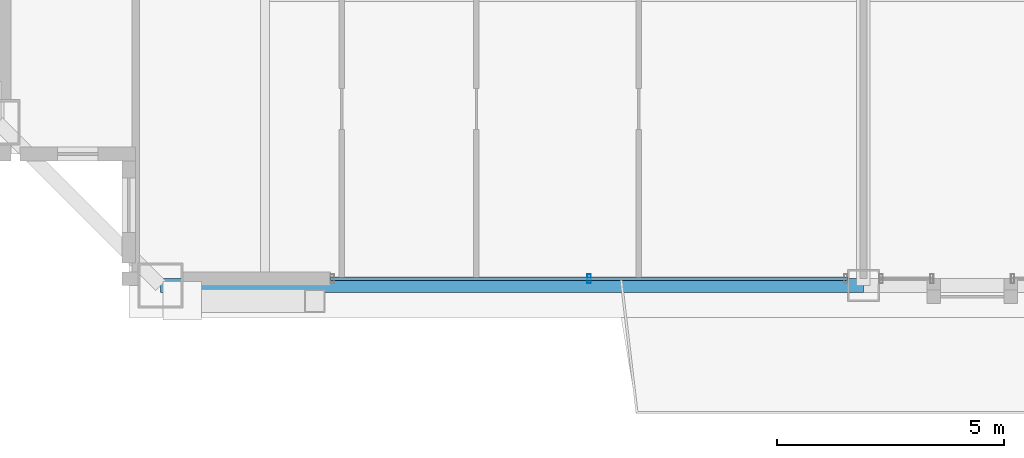
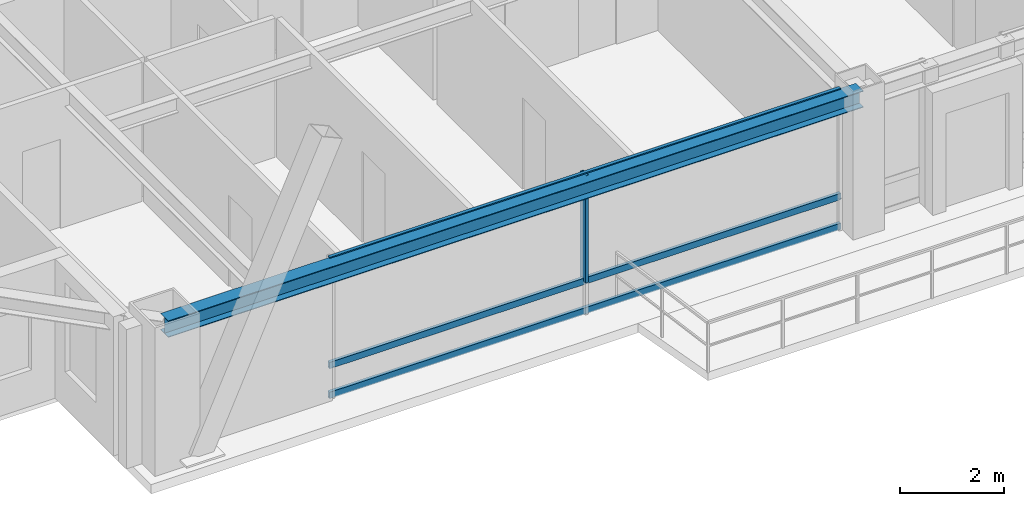
# One storey, part 5 of 34: 4 members, 1 beam, 1 element without a shape of its own.
"""IFC4 building model written with IfcOpenShell, lengths in metres."""

import ifcopenshell
import ifcopenshell.guid

model = None  # the IFC model being written
_history = None  # IfcOwnerHistory: only IFC2X3 demands one
_inside = {}  # id of a spatial element -> (the spatial element, [elements in it])
_under = {}  # id of a project, library or spatial element -> (it, [spatial elements below it])
_declared = {}  # id of a project -> (the project, [libraries it declares])
_typed = {}  # id of a type object -> (the type object, [elements of that type])
_made_of = {}  # id of a material, layer set ... -> (it, [elements and type objects made of it])


def new_model(schema):
    """Start an empty IFC model of exactly this schema.

    Asked for "IFC4X3", IfcOpenShell would pick the latest addendum, in which some entities
    have other attributes; the version numbers below select the first issue.
    IFC2X3 requires an IfcOwnerHistory on every rooted entity: one is made here for all.
    """
    global model, _history
    if schema == "IFC4X3":
        model = ifcopenshell.file(schema_version=(4, 3, 0, 0))
    else:
        model = ifcopenshell.file(schema=schema)
    _inside.clear()
    _under.clear()
    _declared.clear()
    _typed.clear()
    _made_of.clear()
    _history = None
    if model.schema == "IFC2X3":
        org = make("IfcOrganization", Name="unknown")
        user = make(
            "IfcPersonAndOrganization",
            ThePerson=make("IfcPerson", FamilyName="unknown"),
            TheOrganization=org,
        )
        app = make(
            "IfcApplication",
            ApplicationDeveloper=org,
            Version="unknown",
            ApplicationFullName="unknown",
            ApplicationIdentifier="unknown",
        )
        _history = make(
            "IfcOwnerHistory",
            OwningUser=user,
            OwningApplication=app,
            ChangeAction="ADDED",
            CreationDate=0,
        )
    return model


def make(cls, **values):
    """One entity of the class cls with the attributes given. An attribute that is None is left unset."""
    return model.create_entity(
        cls, **{name: value for name, value in values.items() if value is not None}
    )


def rooted(cls, **values):
    """An entity with a GlobalId (a new one), such as an element, a storey or a relation."""
    return make(cls, GlobalId=ifcopenshell.guid.new(), OwnerHistory=_history, **values)


def si_unit(unit_type, name, prefix=None):
    """IfcSIUnit, for example si_unit("LENGTHUNIT", "METRE", prefix="MILLI")."""
    return make("IfcSIUnit", UnitType=unit_type, Prefix=prefix, Name=name)


def assignment(units):
    """IfcUnitAssignment: the units of a project."""
    return None if units is None else make("IfcUnitAssignment", Units=units)


def point(xyz):
    """IfcCartesianPoint."""
    return None if xyz is None else make("IfcCartesianPoint", Coordinates=xyz)


def direction(xyz):
    """IfcDirection."""
    return None if xyz is None else make("IfcDirection", DirectionRatios=xyz)


def frame(location, z_axis=None, x_axis=None):
    """IfcAxis2Placement3D, a coordinate frame: its origin and axes. An axis left out is left unset."""
    return make(
        "IfcAxis2Placement3D",
        Location=point(location),
        Axis=direction(z_axis),
        RefDirection=direction(x_axis),
    )


def frame_2d(location, x_axis=None):
    """IfcAxis2Placement2D, a coordinate frame in the plane: its origin and x axis."""
    return make(
        "IfcAxis2Placement2D", Location=point(location), RefDirection=direction(x_axis)
    )


def origin():
    """The frame at (0, 0, 0) with its axes left unset."""
    return frame((0.0, 0.0, 0.0))


def origin_2d():
    """The frame at (0, 0) in the plane with its x axis left unset."""
    return frame_2d((0.0, 0.0))


def place(relative_to, where):
    """IfcLocalPlacement: puts the frame where relative to a parent placement (None: the world)."""
    return make(
        "IfcLocalPlacement", PlacementRelTo=relative_to, RelativePlacement=where
    )


def context(
    kind, dimensions, precision=None, world=None, true_north=None, identifier=None
):
    """IfcGeometricRepresentationContext, for example the 3D "Model" context."""
    return make(
        "IfcGeometricRepresentationContext",
        ContextIdentifier=identifier,
        ContextType=kind,
        CoordinateSpaceDimension=dimensions,
        Precision=precision,
        WorldCoordinateSystem=world,
        TrueNorth=true_north,
    )


def subcontext(parent, identifier, kind, view, scale=None):
    """IfcGeometricRepresentationSubContext, for example "Body" below "Model"."""
    return make(
        "IfcGeometricRepresentationSubContext",
        ContextIdentifier=identifier,
        ContextType=kind,
        ParentContext=parent,
        TargetScale=scale,
        TargetView=view,
    )


def project(units=None, contexts=None):
    """IfcProject with its units and contexts."""
    return rooted(
        "IfcProject",
        Name="project",
        RepresentationContexts=contexts,
        UnitsInContext=assignment(units),
    )


def spatial(cls, under=None, at=None, **own):
    """A site, building, storey or space (cls), placed at a placement, below another one or the project."""
    s = rooted(cls, ObjectPlacement=at, **own)
    if under is not None:
        _under.setdefault(under.id(), (under, []))[1].append(s)
    return s


def profile(cls, at=None, kind="AREA", **sizes):
    """A parametric profile (cls). Its sizes go by their IFC names, for example OverallWidth=200.0."""
    return make(cls, ProfileType=kind, Position=at, **sizes)


def hollow_rectangle(**sizes):
    """IfcRectangleHollowProfileDef."""
    return profile("IfcRectangleHollowProfileDef", **sizes)


def i_section(**sizes):
    """IfcIShapeProfileDef."""
    return profile("IfcIShapeProfileDef", **sizes)


def extrude(swept, where, along, depth):
    """IfcExtrudedAreaSolid: the profile swept, set in the frame where, extruded along a direction by depth."""
    return make(
        "IfcExtrudedAreaSolid",
        SweptArea=swept,
        Position=where,
        ExtrudedDirection=direction(along),
        Depth=depth,
    )


def shape(context_of_items, identifier, shape_type, items):
    """IfcShapeRepresentation: the items that make up one representation, for example the "Body"."""
    return make(
        "IfcShapeRepresentation",
        ContextOfItems=context_of_items,
        RepresentationIdentifier=identifier,
        RepresentationType=shape_type,
        Items=items,
    )


def source(mapping_origin, context_of_items, identifier, shape_type, items):
    """IfcRepresentationMap: a shape defined once, which mapped items show again and again."""
    return make(
        "IfcRepresentationMap",
        MappingOrigin=mapping_origin,
        MappedRepresentation=shape(context_of_items, identifier, shape_type, items),
    )


def transform(
    local_origin,
    x_axis=None,
    y_axis=None,
    z_axis=None,
    scale=None,
    scale2=None,
    scale3=None,
    uniform=True,
):
    """IfcCartesianTransformationOperator3D, or its non-uniform kind. x_axis, y_axis, z_axis: its Axis1, 2, 3."""
    if uniform:
        return make(
            "IfcCartesianTransformationOperator3D",
            Axis1=direction(x_axis),
            Axis2=direction(y_axis),
            LocalOrigin=point(local_origin),
            Scale=scale,
            Axis3=direction(z_axis),
        )
    return make(
        "IfcCartesianTransformationOperator3DnonUniform",
        Axis1=direction(x_axis),
        Axis2=direction(y_axis),
        LocalOrigin=point(local_origin),
        Scale=scale,
        Axis3=direction(z_axis),
        Scale2=scale2,
        Scale3=scale3,
    )


def mapped(mapping_source, mapping_target):
    """IfcMappedItem: shows the shape of a source again, moved by a transform."""
    return make(
        "IfcMappedItem", MappingSource=mapping_source, MappingTarget=mapping_target
    )


def material(Name=None, Category=None):
    """IfcMaterial."""
    return make("IfcMaterial", Name=Name, Category=Category)


def layer(
    of_material, thickness, ventilated=None, Name=None, Category=None, Priority=None
):
    """IfcMaterialLayer: one layer of a wall or slab, of a material (None: an air gap)."""
    return make(
        "IfcMaterialLayer",
        Material=of_material,
        LayerThickness=thickness,
        IsVentilated=ventilated,
        Name=Name,
        Category=Category,
        Priority=Priority,
    )


def layer_set(layers, Name=None):
    """IfcMaterialLayerSet."""
    return make("IfcMaterialLayerSet", MaterialLayers=layers, LayerSetName=Name)


def material_profile(
    of_material, cross_section, Name=None, Category=None, Priority=None
):
    """IfcMaterialProfile: a cross section and its material."""
    return make(
        "IfcMaterialProfile",
        Name=Name,
        Material=of_material,
        Profile=cross_section,
        Priority=Priority,
        Category=Category,
    )


def profile_set(profiles, Name=None, composite=None):
    """IfcMaterialProfileSet."""
    return make(
        "IfcMaterialProfileSet",
        Name=Name,
        MaterialProfiles=profiles,
        CompositeProfile=composite,
    )


def made_of(thing, what):
    """Note that an element or type object is made of a material, layer set ...; save() writes the relation."""
    if what is not None:
        _made_of.setdefault(what.id(), (what, []))[1].append(thing)
    return thing


def type_object(cls, material=None, **own):
    """A type object (cls), such as IfcWallType, which elements share."""
    return made_of(rooted(cls, **own), material)


def element(
    cls,
    number,
    at=None,
    inside=None,
    cuts=None,
    type_object=None,
    material=None,
    context=None,
    identifier="Body",
    shape_type=None,
    held_by="IfcProductDefinitionShape",
    body=None,
    shapes=None,
    **own,
):
    """One element of the class cls, such as IfcWall. Its Tag is "e" and its number.

    at: its placement. inside: the storey or other place that contains it. cuts: it is an
    opening in that element (IfcRelVoidsElement). A single representation is given by context,
    identifier, shape_type and body (its items); several are given by shapes. held_by: the class
    of the entity that holds the representations. save() writes the other relations.
    """
    e = rooted(cls, Tag="e%d" % number, ObjectPlacement=at, **own)
    if body is not None:
        shapes = [shape(context, identifier, shape_type, body)]
    if shapes is not None:
        e.Representation = make(held_by, Representations=shapes)
    if inside is not None:
        _inside.setdefault(inside.id(), (inside, []))[1].append(e)
    if cuts is not None:
        rooted(
            "IfcRelVoidsElement", RelatingBuildingElement=cuts, RelatedOpeningElement=e
        )
    if type_object is not None:
        _typed.setdefault(type_object.id(), (type_object, []))[1].append(e)
    return made_of(e, material)


def aggregate(whole, parts):
    """IfcRelAggregates: a whole, such as a stair, and the parts it consists of."""
    return rooted("IfcRelAggregates", RelatingObject=whole, RelatedObjects=parts)


def save(model, path):
    """Write the relations noted so far, then the file.

    IfcRelAggregates (storeys below a building ...), IfcRelContainedInSpatialStructure (elements
    in a storey), IfcRelDefinesByType, IfcRelAssociatesMaterial and IfcRelDeclares: one each for
    every whole, place, type object, material and project.
    """
    for whole, parts in _under.values():
        aggregate(whole, parts)
    for where, things in _inside.values():
        rooted(
            "IfcRelContainedInSpatialStructure",
            RelatedElements=things,
            RelatingStructure=where,
        )
    for kind, things in _typed.values():
        rooted("IfcRelDefinesByType", RelatedObjects=things, RelatingType=kind)
    for what, things in _made_of.values():
        rooted("IfcRelAssociatesMaterial", RelatedObjects=things, RelatingMaterial=what)
    for by, libraries in _declared.values():
        rooted("IfcRelDeclares", RelatingContext=by, RelatedDefinitions=libraries)
    model.write(path)


model = new_model("IFC4")

# Units and contexts
model_context = context("Model", 3, precision=1e-05, world=origin(), true_north=direction((0.0, 1.0)))
body_context = subcontext(model_context, "Body", "Model", "MODEL_VIEW")
ifc_project = project(units=[si_unit("LENGTHUNIT", "METRE"), si_unit("AREAUNIT", "SQUARE_METRE"), si_unit("VOLUMEUNIT", "CUBIC_METRE"), si_unit("PLANEANGLEUNIT", "RADIAN"), si_unit("MASSUNIT", "GRAM", prefix="KILO"), si_unit("THERMODYNAMICTEMPERATUREUNIT", "KELVIN"), si_unit("POWERUNIT", "WATT")], contexts=[model_context])

# Site, building, storey
site_placement = place(None, origin())
site = spatial("IfcSite", under=ifc_project, at=site_placement, CompositionType="ELEMENT")
building_placement = place(site_placement, origin())
building = spatial("IfcBuilding", under=site, at=building_placement, Name="Yuzanri Waterfront Tower", CompositionType="ELEMENT")
storey_placement = place(building_placement, frame((0.0, 0.0, 328.699951171875)))
storey = spatial("IfcBuildingStorey", under=building, at=storey_placement, Name="L88", CompositionType="ELEMENT", Elevation=328.699951171875)

# Beam
ifc_material_1 = material(Name="Steel Q355B", Category="steel")
ifc_material_profile_1 = material_profile(ifc_material_1, i_section(OverallWidth=0.300048828125, OverallDepth=0.389892578125, WebThickness=0.010009765625, FlangeThickness=0.01611328125, at=origin_2d()), Name="HM 390x300x10x16")
ifc_profile_set_1 = profile_set([ifc_material_profile_1], Name="Steel Q355B")
beam_type = type_object("IfcBeamType", Name="Perimeter Spandrel Q355B HM 390x300", PredefinedType="SPANDREL", material=ifc_profile_set_1)
shared_shape_1 = source(origin(), body_context, "Body", "SweptSolid", [
    extrude(i_section(OverallWidth=0.300048828125, OverallDepth=0.389892578125, WebThickness=0.010009765625, FlangeThickness=0.01611328125, at=origin_2d()), origin(), (0.0, 0.0, 1.0), 15.5),
])
beam_placement = place(storey_placement, frame((21.5, 6.699951171875, 3.0849609375), z_axis=(1.0, 0.0, 0.0), x_axis=(0.0, 1.0, 0.0)))
element("IfcBeam", 1, at=beam_placement, inside=storey, type_object=beam_type, Name="L88 Perimeter Spandrel S1-S2", PredefinedType="SPANDREL", context=body_context, shape_type="MappedRepresentation", body=[
    mapped(shared_shape_1, transform((0.0, 0.0, 0.0), scale=1.0)),
])

# Curtain wall, members
ifc_material_2 = material(Name="Anodized Architectural Bronze", Category="metal")
ifc_layer = layer(ifc_material_2, 0.159912109375)
ifc_layer_set = layer_set([ifc_layer], Name="Anodized Architectural Bronze")
curtain_wall_type = type_object("IfcCurtainWallType", Name="Anodized Bronze High-Rise Penthouse High-Wind Unitized Curtain Wall 6900", PredefinedType="NOTDEFINED", material=ifc_layer_set)
curtain_wall_placement = place(storey_placement, origin())
curtain_wall = element("IfcCurtainWall", 2, at=curtain_wall_placement, inside=storey, type_object=curtain_wall_type, Name="L88 Curtain Wall CW-L88-SL", PredefinedType="NOTDEFINED")
ifc_material_3 = material(Name="Anodized Architectural Bronze", Category="metal")
ifc_material_profile_2 = material_profile(ifc_material_3, hollow_rectangle(XDim=0.074951171875, YDim=0.199951171875, WallThickness=0.00390625, at=origin_2d()), Name="CWM 75x200")
ifc_profile_set_2 = profile_set([ifc_material_profile_2], Name="Anodized Architectural Bronze")
member_type_1 = type_object("IfcMemberType", Name="Anodized Bronze Primary Curtain-Wall Mullion 75x200", PredefinedType="MULLION", material=ifc_profile_set_2)
shared_shape_2 = source(origin(), body_context, "Body", "SweptSolid", [
    extrude(hollow_rectangle(XDim=0.074951171875, YDim=0.199951171875, WallThickness=0.00390625, at=origin_2d()), origin(), (0.0, 0.0, 1.0), 2.52392578125),
])
member_1_placement = place(storey_placement, frame((30.949951171875, 6.85009765625, 0.756103515625), z_axis=(0.0, 0.0, 1.0), x_axis=(1.0, 0.0, 0.0)))
member_1 = element("IfcMember", 3, at=member_1_placement, type_object=member_type_1, Name="CW-L88-SL Upper Mullion 01", PredefinedType="MULLION", context=body_context, shape_type="MappedRepresentation", body=[
    mapped(shared_shape_2, transform((0.0, 0.0, 0.0), scale=1.0)),
])
ifc_material_4 = material(Name="Anodized Architectural Bronze", Category="metal")
ifc_material_profile_3 = material_profile(ifc_material_4, hollow_rectangle(XDim=0.074951171875, YDim=0.14990234375, WallThickness=0.00390625, at=origin_2d()), Name="CWT 75x150")
ifc_profile_set_3 = profile_set([ifc_material_profile_3], Name="Anodized Architectural Bronze")
member_type_2 = type_object("IfcMemberType", Name="Anodized Bronze Primary Curtain-Wall Transom 75x150", PredefinedType="USERDEFINED", material=ifc_profile_set_3)
shared_shape_3 = source(origin(), body_context, "Body", "SweptSolid", [
    extrude(hollow_rectangle(XDim=0.074951171875, YDim=0.14990234375, WallThickness=0.00390625, at=origin_2d()), origin(), (0.0, 0.0, 1.0), 11.39990234375),
])
member_2_placement = place(storey_placement, frame((25.25, 6.85009765625, 0.050048828125), z_axis=(1.0, 0.0, 0.0), x_axis=(0.0, 1.0, 0.0)))
member_2 = element("IfcMember", 4, at=member_2_placement, type_object=member_type_2, Name="CW-L88-SL Transom 1", ObjectType="TRANSOM", PredefinedType="USERDEFINED", context=body_context, shape_type="MappedRepresentation", body=[
    mapped(shared_shape_3, transform((0.0, 0.0, 0.0), scale=1.0)),
])
member_3_placement = place(storey_placement, frame((25.25, 6.85009765625, 0.754150390625), z_axis=(1.0, 0.0, 0.0), x_axis=(0.0, 1.0, 0.0)))
member_3 = element("IfcMember", 5, at=member_3_placement, type_object=member_type_2, Name="CW-L88-SL Transom 2", ObjectType="TRANSOM", PredefinedType="USERDEFINED", context=body_context, shape_type="MappedRepresentation", body=[
    mapped(shared_shape_3, transform((0.0, 0.0, 0.0), scale=1.0)),
])
member_4_placement = place(storey_placement, frame((25.25, 6.85009765625, 3.22998046875), z_axis=(1.0, 0.0, 0.0), x_axis=(0.0, 1.0, 0.0)))
member_4 = element("IfcMember", 6, at=member_4_placement, type_object=member_type_2, Name="CW-L88-SL Transom 3", ObjectType="TRANSOM", PredefinedType="USERDEFINED", context=body_context, shape_type="MappedRepresentation", body=[
    mapped(shared_shape_3, transform((0.0, 0.0, 0.0), scale=1.0)),
])
aggregate(curtain_wall, [member_1, member_2, member_3, member_4])

save(model, "model.ifc")
